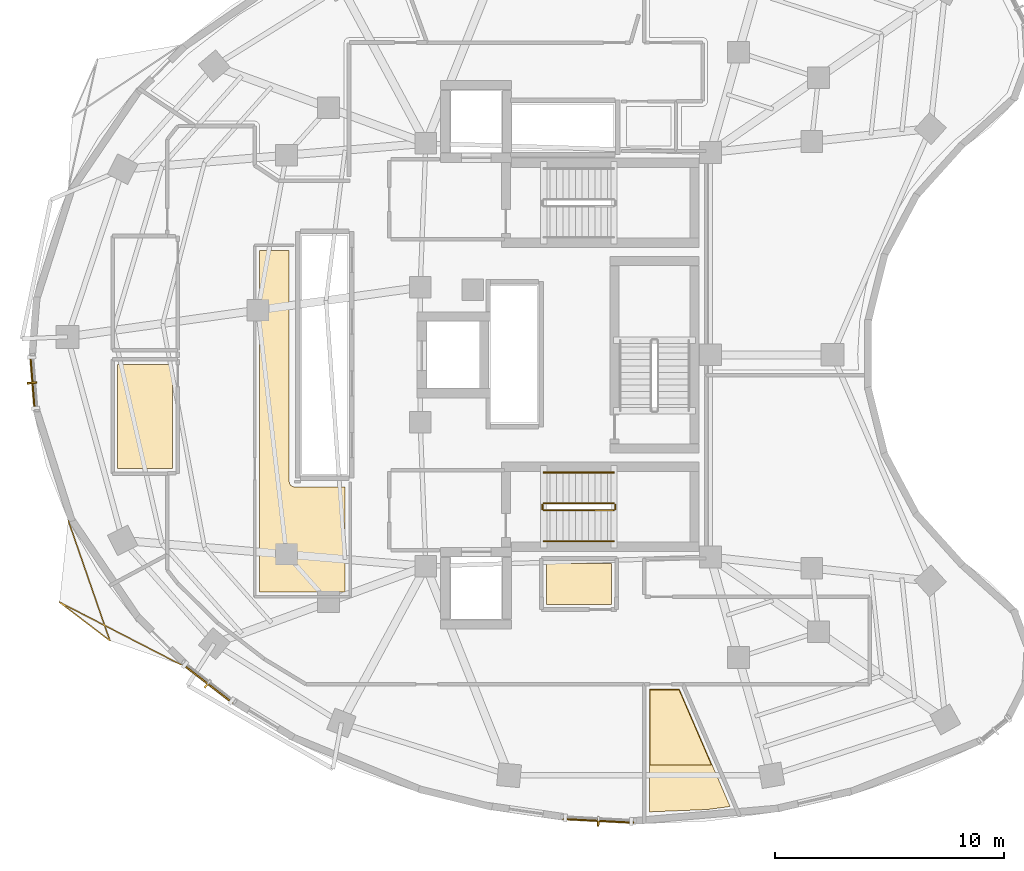
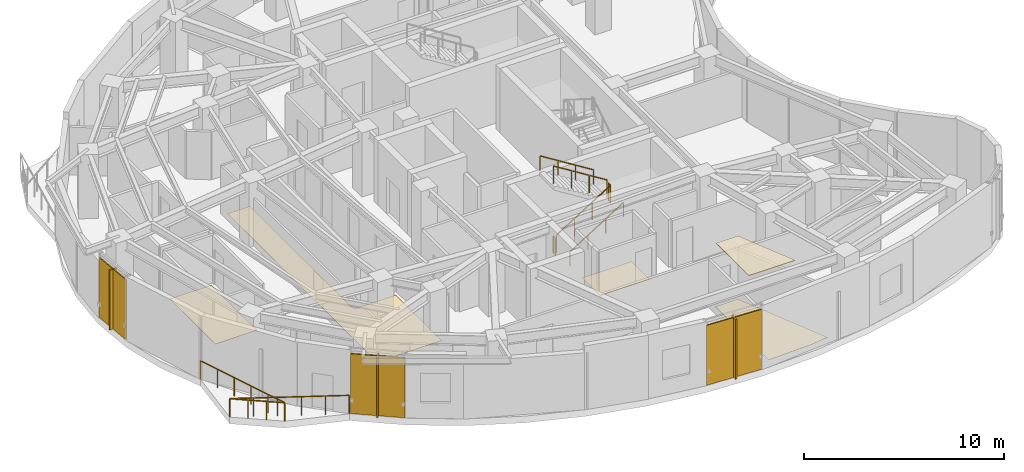
# One storey, part 11 of 13: 7 railings, 6 shading devices, 5 coverings.
"""IFC4 building model written with IfcOpenShell, lengths in metres."""

from ifc_helpers import new_model, si_unit, direction, frame, origin, origin_2d, place, context, subcontext, project, spatial, polyline, rectangle, outline, extrude, material, layer, layer_set, type_object, element, save


model = new_model("IFC4")

# Units and contexts
model_context = context("Model", 3, precision=1e-05, world=origin(), true_north=direction((0.0, 1.0)))
body_context = subcontext(model_context, "Body", "Model", "MODEL_VIEW")
ifc_project = project(units=[si_unit("LENGTHUNIT", "METRE"), si_unit("AREAUNIT", "SQUARE_METRE"), si_unit("VOLUMEUNIT", "CUBIC_METRE"), si_unit("PLANEANGLEUNIT", "RADIAN"), si_unit("MASSUNIT", "GRAM", prefix="KILO")], contexts=[model_context])

# Site, building, storey
site_placement = place(None, origin())
site = spatial("IfcSite", under=ifc_project, at=site_placement, CompositionType="ELEMENT")
building_placement = place(site_placement, origin())
building = spatial("IfcBuilding", under=site, at=building_placement, Name="Korentha Bioscience Tower", CompositionType="ELEMENT")
storey_placement = place(building_placement, frame((0.0, 0.0, 166.800048828125)))
storey = spatial("IfcBuildingStorey", under=building, at=storey_placement, Name="L38", CompositionType="ELEMENT", Elevation=166.800048828125)

# Railings
ifc_material_1 = material(Name="Stainless Steel 304", Category="steel")
railing_type_1 = type_object("IfcRailingType", Name="Brushed Stainless Stair Handrail 900", PredefinedType="HANDRAIL", material=ifc_material_1)
railing_1_placement = place(storey_placement, frame((30.25, 18.85009765625, 0.175048828125)))
element("IfcRailing", 1, at=railing_1_placement, inside=storey, type_object=railing_type_1, Name="L38 ST-2 stair handrail 1", PredefinedType="HANDRAIL", context=body_context, shape_type="SweptSolid", body=[
    extrude(rectangle(XDim=0.048095703125, YDim=0.048095703125, at=origin_2d()), frame((0.0, 0.0, 0.8759765625), z_axis=(0.848028513186, 0.0, 0.529950602248), x_axis=(0.0, 1.0, 0.0)), (0.0, 0.0, 1.0), 3.632080078125),
    extrude(rectangle(XDim=0.0419921875, YDim=0.0419921875, at=origin_2d()), origin(), (0.0, 0.0, 1.0), 0.851806640625),
    extrude(rectangle(XDim=0.0419921875, YDim=0.0419921875, at=origin_2d()), frame((1.026611328125, 0.0, 0.6416015625)), (0.0, 0.0, 1.0), 0.851806640625),
    extrude(rectangle(XDim=0.0419921875, YDim=0.0419921875, at=origin_2d()), frame((2.053466796875, 0.0, 1.283203125)), (0.0, 0.0, 1.0), 0.851806640625),
    extrude(rectangle(XDim=0.0419921875, YDim=0.0419921875, at=origin_2d()), frame((3.080078125, 0.0, 1.9248046875)), (0.0, 0.0, 1.0), 0.851806640625),
])
railing_2_placement = place(storey_placement, frame((33.330078125, 21.85009765625, 2.27490234375)))
element("IfcRailing", 2, at=railing_2_placement, inside=storey, type_object=railing_type_1, Name="L38 ST-2 stair handrail 2", PredefinedType="HANDRAIL", context=body_context, shape_type="SweptSolid", body=[
    extrude(rectangle(XDim=0.048095703125, YDim=0.048095703125, at=origin_2d()), frame((0.0, 0.0, 0.8759765625), z_axis=(-0.847998304005, 0.0, 0.529998940003), x_axis=(0.0, -1.0, 0.0)), (0.0, 0.0, 1.0), 3.632080078125),
    extrude(rectangle(XDim=0.0419921875, YDim=0.0419921875, at=origin_2d()), origin(), (0.0, 0.0, 1.0), 0.851806640625),
    extrude(rectangle(XDim=0.0419921875, YDim=0.0419921875, at=origin_2d()), frame((-1.026611328125, 0.0, 0.6416015625)), (0.0, 0.0, 1.0), 0.851806640625),
    extrude(rectangle(XDim=0.0419921875, YDim=0.0419921875, at=origin_2d()), frame((-2.053466796875, 0.0, 1.283447265625)), (0.0, 0.0, 1.0), 0.851806640625),
    extrude(rectangle(XDim=0.0419921875, YDim=0.0419921875, at=origin_2d()), frame((-3.080078125, 0.0, 1.925048828125)), (0.0, 0.0, 1.0), 0.851806640625),
])
ifc_material_2 = material(Name="Laminated Tempered Safety Glass", Category="glass")
railing_type_2 = type_object("IfcRailingType", Name="Laminated Glass Balcony Guardrail 1150", PredefinedType="BALUSTRADE", material=ifc_material_2)
railing_3_placement = place(storey_placement, frame((9.454833984375, 19.753662109375, 0.0)))
element("IfcRailing", 3, at=railing_3_placement, inside=storey, type_object=railing_type_2, Name="L38 Balcony Guardrail 03", PredefinedType="BALUSTRADE", context=body_context, shape_type="SweptSolid", body=[
    extrude(rectangle(XDim=0.048095703125, YDim=0.048095703125, at=origin_2d()), frame((0.0, 0.0, 1.1259765625), z_axis=(0.32732446538, -0.944912003503, 0.0), x_axis=(0.944912003503, 0.32732446538, 0.0)), (0.0, 0.0, 1.0), 5.56640625),
    extrude(rectangle(XDim=0.048095703125, YDim=0.048095703125, at=origin_2d()), frame((1.822021484375, -5.259765625, 1.1259765625), z_axis=(-0.794752376114, 0.606933819012, 0.0), x_axis=(-0.606933819012, -0.794752376114, 0.0)), (0.0, 0.0, 1.0), 2.77392578125),
    extrude(rectangle(XDim=0.048095703125, YDim=0.048095703125, at=origin_2d()), frame((-0.382568359375, -3.576171875, 1.1259765625), z_axis=(0.889116514166, -0.457680919678, 0.0), x_axis=(0.457680919678, 0.889116514166, 0.0)), (0.0, 0.0, 1.0), 5.9814453125),
    extrude(rectangle(XDim=0.0419921875, YDim=0.0419921875, at=origin_2d()), origin(), (0.0, 0.0, 1.0), 1.101806640625),
    extrude(rectangle(XDim=0.0419921875, YDim=0.0419921875, at=origin_2d()), frame((0.364501953125, -1.052001953125, 0.0)), (0.0, 0.0, 1.0), 1.101806640625),
    extrude(rectangle(XDim=0.0419921875, YDim=0.0419921875, at=origin_2d()), frame((0.728759765625, -2.10400390625, 0.0)), (0.0, 0.0, 1.0), 1.101806640625),
    extrude(rectangle(XDim=0.0419921875, YDim=0.0419921875, at=origin_2d()), frame((1.09326171875, -3.15576171875, 0.0)), (0.0, 0.0, 1.0), 1.101806640625),
    extrude(rectangle(XDim=0.0419921875, YDim=0.0419921875, at=origin_2d()), frame((1.45751953125, -4.207763671875, 0.0)), (0.0, 0.0, 1.0), 1.101806640625),
    extrude(rectangle(XDim=0.0419921875, YDim=0.0419921875, at=origin_2d()), frame((1.822021484375, -5.259765625, 0.0)), (0.0, 0.0, 1.0), 1.101806640625),
    extrude(rectangle(XDim=0.0419921875, YDim=0.0419921875, at=origin_2d()), frame((1.087158203125, -4.698486328125, 0.0)), (0.0, 0.0, 1.0), 1.101806640625),
    extrude(rectangle(XDim=0.0419921875, YDim=0.0419921875, at=origin_2d()), frame((0.352294921875, -4.137451171875, 0.0)), (0.0, 0.0, 1.0), 1.101806640625),
    extrude(rectangle(XDim=0.0419921875, YDim=0.0419921875, at=origin_2d()), frame((-0.382568359375, -3.576171875, 0.0)), (0.0, 0.0, 1.0), 1.101806640625),
    extrude(rectangle(XDim=0.0419921875, YDim=0.0419921875, at=origin_2d()), frame((0.68115234375, -4.123779296875, 0.0)), (0.0, 0.0, 1.0), 1.101806640625),
    extrude(rectangle(XDim=0.0419921875, YDim=0.0419921875, at=origin_2d()), frame((1.74462890625, -4.671142578125, 0.0)), (0.0, 0.0, 1.0), 1.101806640625),
    extrude(rectangle(XDim=0.0419921875, YDim=0.0419921875, at=origin_2d()), frame((2.808349609375, -5.21875, 0.0)), (0.0, 0.0, 1.0), 1.101806640625),
    extrude(rectangle(XDim=0.0419921875, YDim=0.0419921875, at=origin_2d()), frame((3.871826171875, -5.76611328125, 0.0)), (0.0, 0.0, 1.0), 1.101806640625),
    extrude(rectangle(XDim=0.0419921875, YDim=0.0419921875, at=origin_2d()), frame((4.935546875, -6.313720703125, 0.0)), (0.0, 0.0, 1.0), 1.101806640625),
])

# Covering
ifc_material_3 = material(Name="Antimicrobial Mineral Fibre Board", Category="gypsum")
ifc_layer_1 = layer(ifc_material_3, 0.034912109375, Name="Antimicrobial Mineral Fibre Board")
ifc_layer_set_1 = layer_set([ifc_layer_1], Name="Antimicrobial Mineral Fibre Board (CL-MF35)")
covering_type_1 = type_object("IfcCoveringType", Name="Mineral-Fibre Cleanroom Suspended Ceiling 35", PredefinedType="CEILING", material=ifc_layer_set_1)
covering_1_placement = place(storey_placement, frame((0.0, 0.0, 3.864990234375)))
element("IfcCovering", 4, at=covering_1_placement, inside=storey, type_object=covering_type_1, Name="L38 Biospecimen Archive Store 03 Acoustic Ceiling", PredefinedType="CEILING", context=body_context, shape_type="SweptSolid", body=[
    extrude(outline(polyline([(37.58740234375, 9.064208984375), (34.907958984375, 9.0654296875), (34.907958984375, 12.340087890625), (36.173583984375, 12.340087890625), (37.58740234375, 9.064208984375)])), origin(), (0.0, 0.0, 1.0), 0.034912109375),
])

# Railings
ifc_material_4 = material(Name="Painted Steel S275", Category="steel")
railing_type_3 = type_object("IfcRailingType", Name="Painted Steel Stair Well Guardrail 1100", PredefinedType="GUARDRAIL", material=ifc_material_4)
railing_4_placement = place(storey_placement, frame((30.25, 20.199951171875, 0.175048828125)))
element("IfcRailing", 5, at=railing_4_placement, inside=storey, type_object=railing_type_3, Name="L38 ST-2 stair guard 1", PredefinedType="GUARDRAIL", context=body_context, shape_type="SweptSolid", body=[
    extrude(rectangle(XDim=0.048095703125, YDim=0.048095703125, at=origin_2d()), frame((0.0, 0.0, 1.076171875), z_axis=(0.848028513186, 0.0, 0.529950602248), x_axis=(0.0, 1.0, 0.0)), (0.0, 0.0, 1.0), 3.632080078125),
    extrude(rectangle(XDim=0.0419921875, YDim=0.0419921875, at=origin_2d()), origin(), (0.0, 0.0, 1.0), 1.052001953125),
    extrude(rectangle(XDim=0.0419921875, YDim=0.0419921875, at=origin_2d()), frame((1.026611328125, 0.0, 0.6416015625)), (0.0, 0.0, 1.0), 1.052001953125),
    extrude(rectangle(XDim=0.0419921875, YDim=0.0419921875, at=origin_2d()), frame((2.053466796875, 0.0, 1.283203125)), (0.0, 0.0, 1.0), 1.052001953125),
    extrude(rectangle(XDim=0.0419921875, YDim=0.0419921875, at=origin_2d()), frame((3.080078125, 0.0, 1.9248046875)), (0.0, 0.0, 1.0), 1.052001953125),
])
railing_5_placement = place(storey_placement, frame((33.3798828125, 20.25, 2.099853515625)))
element("IfcRailing", 6, at=railing_5_placement, inside=storey, type_object=railing_type_3, Name="L38 ST-2 stair guard 2", PredefinedType="GUARDRAIL", context=body_context, shape_type="SweptSolid", body=[
    extrude(rectangle(XDim=0.048095703125, YDim=0.048095703125, at=origin_2d()), frame((0.0, 0.0, 1.076171875), z_axis=(0.0, 1.0, 0.0), x_axis=(-1.0, 0.0, 0.0)), (0.0, 0.0, 1.0), 0.199951171875),
    extrude(rectangle(XDim=0.0419921875, YDim=0.0419921875, at=origin_2d()), origin(), (0.0, 0.0, 1.0), 1.052001953125),
    extrude(rectangle(XDim=0.0419921875, YDim=0.0419921875, at=origin_2d()), frame((0.0, 0.199951171875, 0.0)), (0.0, 0.0, 1.0), 1.052001953125),
])
railing_6_placement = place(storey_placement, frame((33.330078125, 20.5, 2.27490234375)))
element("IfcRailing", 7, at=railing_6_placement, inside=storey, type_object=railing_type_3, Name="L38 ST-2 stair guard 3", PredefinedType="GUARDRAIL", context=body_context, shape_type="SweptSolid", body=[
    extrude(rectangle(XDim=0.048095703125, YDim=0.048095703125, at=origin_2d()), frame((0.0, 0.0, 1.076171875), z_axis=(-0.847998304005, 0.0, 0.529998940003), x_axis=(0.0, -1.0, 0.0)), (0.0, 0.0, 1.0), 3.632080078125),
    extrude(rectangle(XDim=0.0419921875, YDim=0.0419921875, at=origin_2d()), origin(), (0.0, 0.0, 1.0), 1.052001953125),
    extrude(rectangle(XDim=0.0419921875, YDim=0.0419921875, at=origin_2d()), frame((-1.026611328125, 0.0, 0.6416015625)), (0.0, 0.0, 1.0), 1.052001953125),
    extrude(rectangle(XDim=0.0419921875, YDim=0.0419921875, at=origin_2d()), frame((-2.053466796875, 0.0, 1.283447265625)), (0.0, 0.0, 1.0), 1.052001953125),
    extrude(rectangle(XDim=0.0419921875, YDim=0.0419921875, at=origin_2d()), frame((-3.080078125, 0.0, 1.925048828125)), (0.0, 0.0, 1.0), 1.052001953125),
])
railing_7_placement = place(storey_placement, frame((30.199951171875, 20.25, 0.0)))
element("IfcRailing", 8, at=railing_7_placement, inside=storey, type_object=railing_type_3, Name="L38 ST-2 stair guard 4", PredefinedType="GUARDRAIL", context=body_context, shape_type="SweptSolid", body=[
    extrude(rectangle(XDim=0.048095703125, YDim=0.048095703125, at=origin_2d()), frame((0.0, 0.0, 1.076171875), z_axis=(0.0, 1.0, 0.0), x_axis=(-1.0, 0.0, 0.0)), (0.0, 0.0, 1.0), 0.199951171875),
    extrude(rectangle(XDim=0.0419921875, YDim=0.0419921875, at=origin_2d()), origin(), (0.0, 0.0, 1.0), 1.052001953125),
    extrude(rectangle(XDim=0.0419921875, YDim=0.0419921875, at=origin_2d()), frame((0.0, 0.199951171875, 0.0)), (0.0, 0.0, 1.0), 1.052001953125),
])

# Shading devices
ifc_material_5 = material(Name="Perforated Stone-Ceramic Composite", Category="masonry")
ifc_layer_2 = layer(ifc_material_5, 0.06494140625, Name="Perforated Stone-Ceramic Composite")
ifc_layer_set_2 = layer_set([ifc_layer_2], Name="Perforated Stone-Ceramic Composite (CS-01)")
shading_device_type_1 = type_object("IfcShadingDeviceType", Name="Perforated Stone-Ceramic Solar Screen Panel 65", PredefinedType="USERDEFINED", material=ifc_layer_set_2)
shading_device_1_placement = place(storey_placement, frame((7.89208984375, 25.773193359375, 0.0), z_axis=(0.0, 0.0, 1.0), x_axis=(0.078030772566, -0.996950950916, 0.0)))
element("IfcShadingDevice", 9, at=shading_device_1_placement, inside=storey, type_object=shading_device_type_1, Name="CW-L38-19 Perforated Stone-Ceramic Solar Screen", ObjectType="SCREEN", PredefinedType="USERDEFINED", context=body_context, shape_type="SweptSolid", body=[
    extrude(rectangle(XDim=2.370361328125, YDim=0.06494140625, at=origin_2d()), origin(), (0.0, 0.0, 1.0), 3.64990234375),
])
shading_device_2_placement = place(storey_placement, frame((15.5576171875, 12.611572265625, 0.0), z_axis=(0.0, 0.0, 1.0), x_axis=(0.790546796919, -0.612401634454, 0.0)))
element("IfcShadingDevice", 10, at=shading_device_2_placement, inside=storey, type_object=shading_device_type_1, Name="CW-L38-25 Perforated Stone-Ceramic Solar Screen", ObjectType="SCREEN", PredefinedType="USERDEFINED", context=body_context, shape_type="SweptSolid", body=[
    extrude(rectangle(XDim=2.759765625, YDim=0.06494140625, at=origin_2d()), origin(), (0.0, 0.0, 1.0), 3.64990234375),
])
shading_device_3_placement = place(storey_placement, frame((32.642578125, 6.612060546875, 0.0), z_axis=(0.0, 0.0, 1.0), x_axis=(0.998637677307, -0.052180355139, 0.0)))
element("IfcShadingDevice", 11, at=shading_device_3_placement, inside=storey, type_object=shading_device_type_1, Name="CW-L38-31 Perforated Stone-Ceramic Solar Screen", ObjectType="SCREEN", PredefinedType="USERDEFINED", context=body_context, shape_type="SweptSolid", body=[
    extrude(rectangle(XDim=3.106689453125, YDim=0.06494140625, at=origin_2d()), origin(), (0.0, 0.0, 1.0), 3.64990234375),
])

# Coverings
ifc_material_6 = material(Name="Chemical-Resistant Epoxy Resin", Category="polymer")
ifc_layer_3 = layer(ifc_material_6, 0.011962890625, Name="Chemical-Resistant Epoxy Resin")
ifc_layer_set_3 = layer_set([ifc_layer_3], Name="Chemical-Resistant Epoxy Resin (FL-EPX)")
covering_type_2 = type_object("IfcCoveringType", Name="Seamless Epoxy Laboratory Flooring 12", PredefinedType="FLOORING", material=ifc_layer_set_3)
covering_2_placement = place(storey_placement, origin())
element("IfcCovering", 12, at=covering_2_placement, inside=storey, type_object=covering_type_2, Name="L38 Core Instrumentation and Gas Store Floor Finish", PredefinedType="FLOORING", context=body_context, shape_type="SweptSolid", body=[
    extrude(outline(polyline([(33.22998046875, 17.8701171875), (33.219970703125, 16.080078125), (30.3798828125, 16.080078125), (30.371337890625, 17.8701171875), (33.22998046875, 17.8701171875)])), origin(), (0.0, 0.0, 1.0), 0.011962890625),
])
covering_3_placement = place(storey_placement, origin())
element("IfcCovering", 13, at=covering_3_placement, inside=storey, type_object=covering_type_2, Name="L38 Reclaimed Bank-1 Cold Freezer Alcove Floor Finish", PredefinedType="FLOORING", context=body_context, shape_type="SweptSolid", body=[
    extrude(outline(polyline([(14.02001953125, 22.030029296875), (11.6201171875, 22.02099609375), (11.6201171875, 26.580078125), (14.02001953125, 26.580078125), (14.02001953125, 22.030029296875)])), origin(), (0.0, 0.0, 1.0), 0.011962890625),
])
covering_4_placement = place(storey_placement, origin())
element("IfcCovering", 14, at=covering_4_placement, inside=storey, type_object=covering_type_2, Name="L38 Research Colloquium Seminar Room 01 Floor Finish", PredefinedType="FLOORING", context=body_context, shape_type="SweptSolid", body=[
    extrude(outline(polyline([(19.1201171875, 31.570068359375), (19.1201171875, 21.449951171875), (19.133544921875, 21.3720703125), (19.17919921875, 21.2958984375), (19.252197265625, 21.241943359375), (19.339111328125, 21.22021484375), (21.570068359375, 21.219970703125), (21.570068359375, 16.6298828125), (17.830078125, 16.6298828125), (17.830078125, 31.570068359375), (19.1201171875, 31.570068359375)])), origin(), (0.0, 0.0, 1.0), 0.011962890625),
])
covering_5_placement = place(storey_placement, origin())
element("IfcCovering", 15, at=covering_5_placement, inside=storey, type_object=covering_type_2, Name="L38 Biospecimen Archive Store 03 Floor Finish", PredefinedType="FLOORING", context=body_context, shape_type="SweptSolid", body=[
    extrude(outline(polyline([(34.8779296875, 12.3701171875), (36.193359375, 12.3701171875), (38.406982421875, 7.240966796875), (37.40185546875, 7.106201171875), (34.8779296875, 7.004638671875), (34.8779296875, 12.3701171875)])), origin(), (0.0, 0.0, 1.0), 0.011962890625),
])

# Shading devices
ifc_material_7 = material(Name="Honed Travertine Limestone", Category="masonry")
ifc_layer_4 = layer(ifc_material_7, 0.080078125, Name="Honed Travertine Limestone")
ifc_layer_set_4 = layer_set([ifc_layer_4], Name="Honed Travertine Limestone (CS-02)")
shading_device_type_2 = type_object("IfcShadingDeviceType", Name="Vertical Honed Limestone Sunshade Fin 80x420", PredefinedType="USERDEFINED", material=ifc_layer_set_4)
for number, where, z_axis, x_axis, name in (
    (16, (7.872314453125, 25.771728515625, 0.0), (0.0, 0.0, 1.0), (0.078030772566, -0.996950950916, 0.0), "CW-L38-19 Limestone Sunshade Fin"),
    (17, (15.54541015625, 12.595947265625, 0.0), (0.0, 0.0, 1.0), (0.790546796919, -0.612401634454, 0.0), "CW-L38-25 Limestone Sunshade Fin"),
    (18, (32.6416015625, 6.59228515625, 0.0), (0.0, 0.0, 1.0), (0.998637677307, -0.052180355139, 0.0), "CW-L38-31 Limestone Sunshade Fin"),
):
    element("IfcShadingDevice", number, at=place(storey_placement, frame(where, z_axis=z_axis, x_axis=x_axis)), inside=storey, type_object=shading_device_type_2, Name=name, ObjectType="SCREEN", PredefinedType="USERDEFINED", context=body_context, shape_type="SweptSolid", body=[
        extrude(rectangle(XDim=0.080078125, YDim=0.419921875, at=origin_2d()), origin(), (0.0, 0.0, 1.0), 3.64990234375),
    ])

save(model, "model.ifc")
